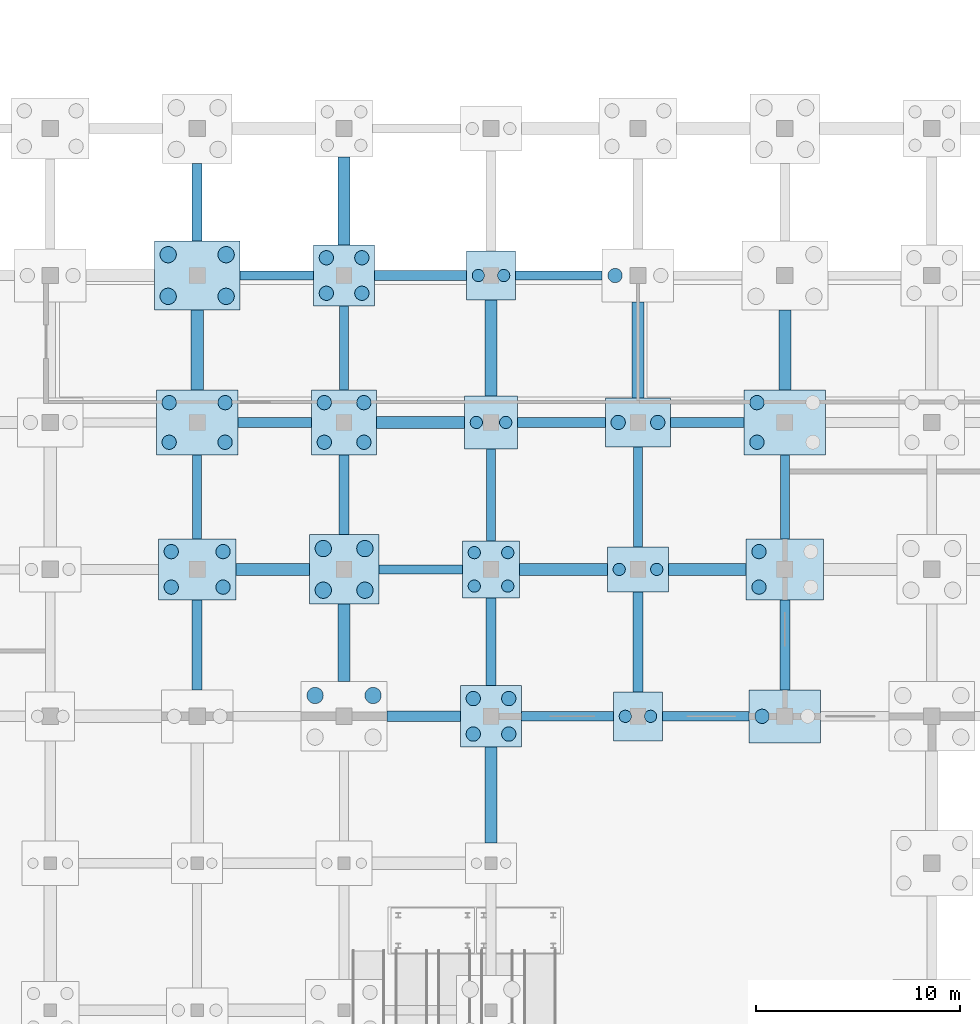
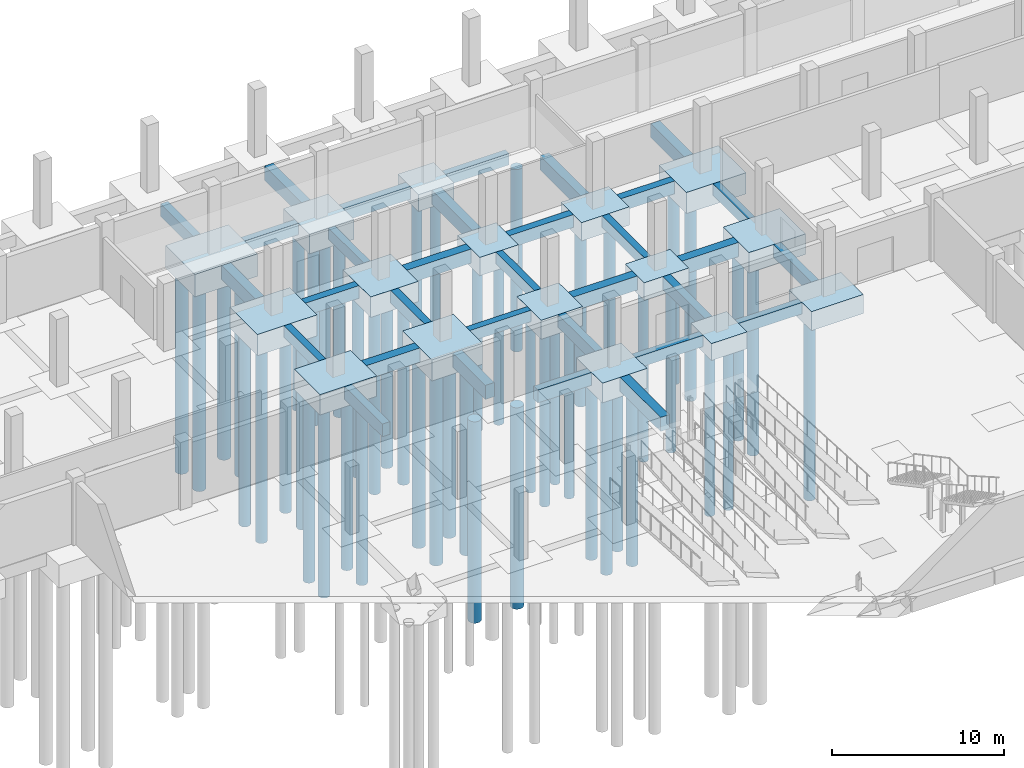
# One storey, part 5 of 38: 50 piles, 48 footings.
"""IFC4 building model written with IfcOpenShell, lengths in metres."""

from ifc_helpers import new_model, si_unit, direction, frame, origin, origin_2d, place, context, subcontext, project, spatial, rectangle, circle, extrude, material, material_profile, profile_set, type_object, element, save


model = new_model("IFC4")

# Units and contexts
model_context = context("Model", 3, precision=1e-05, world=origin(), true_north=direction((0.0, 1.0)))
body_context = subcontext(model_context, "Body", "Model", "MODEL_VIEW")
ifc_project = project(units=[si_unit("LENGTHUNIT", "METRE"), si_unit("AREAUNIT", "SQUARE_METRE"), si_unit("VOLUMEUNIT", "CUBIC_METRE"), si_unit("PLANEANGLEUNIT", "RADIAN"), si_unit("MASSUNIT", "GRAM", prefix="KILO")], contexts=[model_context])

# Site, building, storey
site_placement = place(None, origin())
site = spatial("IfcSite", under=ifc_project, at=site_placement, CompositionType="ELEMENT")
building_placement = place(site_placement, origin())
building = spatial("IfcBuilding", under=site, at=building_placement, Name="Valkovuoma Quantum and Materials Research Institute", CompositionType="ELEMENT")
storey_placement = place(building_placement, frame((0.0, 0.0, -4.800048828125)))
storey = spatial("IfcBuildingStorey", under=building, at=storey_placement, Name="B1", CompositionType="ELEMENT", Elevation=-4.800048828125)

# Footings
ifc_material_1 = material(Name="Concrete C35/45", Category="concrete")
footing_type_1 = type_object("IfcFootingType", Name="Cap-PC-03", PredefinedType="PILE_CAP", material=ifc_material_1)
for number, where, z_axis, x_axis, name in (
    (1, (79.199951171875, 57.60009765625, -1.19970703125), (0.0, 0.0, 1.0), (1.0, 0.0, 0.0), "B1 pile cap 12J"),
    (2, (86.39990234375, 36.0, -1.19970703125), (0.0, 0.0, 1.0), (1.0, 0.0, 0.0), "B1 pile cap 13F"),
):
    element("IfcFooting", number, at=place(storey_placement, frame(where, z_axis=z_axis, x_axis=x_axis)), inside=storey, type_object=footing_type_1, Name=name, PredefinedType="PILE_CAP", context=body_context, shape_type="SweptSolid", body=[
        extrude(rectangle(XDim=2.39990234375, YDim=2.39990234375, at=origin_2d()), origin(), (0.0, 0.0, 1.0), 1.199951171875),
    ])
ifc_material_2 = material(Name="Concrete C35/45", Category="concrete")
footing_type_2 = type_object("IfcFootingType", Name="Cap-PC-04", PredefinedType="PILE_CAP", material=ifc_material_2)
footing_1_placement = place(storey_placement, frame((79.199951171875, 50.39990234375, -1.2998046875), z_axis=(0.0, 0.0, 1.0), x_axis=(1.0, 0.0, 0.0)))
element("IfcFooting", 3, at=footing_1_placement, inside=storey, type_object=footing_type_2, Name="B1 pile cap 12H", PredefinedType="PILE_CAP", context=body_context, shape_type="SweptSolid", body=[
    extrude(rectangle(XDim=2.60009765625, YDim=2.60009765625, at=origin_2d()), origin(), (0.0, 0.0, 1.0), 1.300048828125),
])
ifc_material_3 = material(Name="Concrete C35/45", Category="concrete")
footing_type_3 = type_object("IfcFootingType", Name="Cap-PC-05", PredefinedType="PILE_CAP", material=ifc_material_3)
footing_2_placement = place(storey_placement, frame((79.199951171875, 43.199951171875, -1.35009765625), z_axis=(0.0, 0.0, 1.0), x_axis=(1.0, 0.0, 0.0)))
element("IfcFooting", 4, at=footing_2_placement, inside=storey, type_object=footing_type_3, Name="B1 pile cap 12G", PredefinedType="PILE_CAP", context=body_context, shape_type="SweptSolid", body=[
    extrude(rectangle(XDim=2.800048828125, YDim=2.800048828125, at=origin_2d()), origin(), (0.0, 0.0, 1.0), 1.35009765625),
])
ifc_material_4 = material(Name="Concrete C35/45", Category="concrete")
footing_type_4 = type_object("IfcFootingType", Name="Cap-PC-06", PredefinedType="PILE_CAP", material=ifc_material_4)
for number, where, z_axis, x_axis, name in (
    (5, (72.0, 57.60009765625, -1.39990234375), (0.0, 0.0, 1.0), (1.0, 0.0, 0.0), "B1 pile cap 11J"),
    (6, (79.199951171875, 36.0, -1.39990234375), (0.0, 0.0, 1.0), (1.0, 0.0, 0.0), "B1 pile cap 12F"),
):
    element("IfcFooting", number, at=place(storey_placement, frame(where, z_axis=z_axis, x_axis=x_axis)), inside=storey, type_object=footing_type_4, Name=name, PredefinedType="PILE_CAP", context=body_context, shape_type="SweptSolid", body=[
        extrude(rectangle(XDim=3.0, YDim=3.0, at=origin_2d()), origin(), (0.0, 0.0, 1.0), 1.39990234375),
    ])
ifc_material_5 = material(Name="Concrete C35/45", Category="concrete")
footing_type_5 = type_object("IfcFootingType", Name="Cap-PC-07", PredefinedType="PILE_CAP", material=ifc_material_5)
footing_3_placement = place(storey_placement, frame((72.0, 50.39990234375, -1.44970703125), z_axis=(0.0, 0.0, 1.0), x_axis=(1.0, 0.0, 0.0)))
element("IfcFooting", 7, at=footing_3_placement, inside=storey, type_object=footing_type_5, Name="B1 pile cap 11H", PredefinedType="PILE_CAP", context=body_context, shape_type="SweptSolid", body=[
    extrude(rectangle(XDim=3.199951171875, YDim=3.199951171875, at=origin_2d()), origin(), (0.0, 0.0, 1.0), 1.449951171875),
])
ifc_material_6 = material(Name="Concrete C35/45", Category="concrete")
footing_type_6 = type_object("IfcFootingType", Name="Cap-PC-08", PredefinedType="PILE_CAP", material=ifc_material_6)
footing_4_placement = place(storey_placement, frame((72.0, 43.199951171875, -1.5), z_axis=(0.0, 0.0, 1.0), x_axis=(1.0, 0.0, 0.0)))
element("IfcFooting", 8, at=footing_4_placement, inside=storey, type_object=footing_type_6, Name="B1 pile cap 11G", PredefinedType="PILE_CAP", context=body_context, shape_type="SweptSolid", body=[
    extrude(rectangle(XDim=3.39990234375, YDim=3.39990234375, at=origin_2d()), origin(), (0.0, 0.0, 1.0), 1.5),
])
ifc_material_7 = material(Name="Concrete C35/45", Category="concrete")
footing_type_7 = type_object("IfcFootingType", Name="Cap-PC-11", PredefinedType="PILE_CAP", material=ifc_material_7)
footing_5_placement = place(storey_placement, frame((86.39990234375, 43.199951171875, -1.25), z_axis=(0.0, 0.0, 1.0), x_axis=(1.0, 0.0, 0.0)))
element("IfcFooting", 9, at=footing_5_placement, inside=storey, type_object=footing_type_7, Name="B1 pile cap 13G", PredefinedType="PILE_CAP", context=body_context, shape_type="SweptSolid", body=[
    extrude(rectangle(XDim=3.0, YDim=2.199951171875, at=origin_2d()), origin(), (0.0, 0.0, 1.0), 1.25),
])
ifc_material_8 = material(Name="Concrete C35/45", Category="concrete")
footing_type_8 = type_object("IfcFootingType", Name="Cap-PC-12", PredefinedType="PILE_CAP", material=ifc_material_8)
footing_6_placement = place(storey_placement, frame((86.39990234375, 50.39990234375, -1.2998046875), z_axis=(0.0, 0.0, 1.0), x_axis=(1.0, 0.0, 0.0)))
element("IfcFooting", 10, at=footing_6_placement, inside=storey, type_object=footing_type_8, Name="B1 pile cap 13H", PredefinedType="PILE_CAP", context=body_context, shape_type="SweptSolid", body=[
    extrude(rectangle(XDim=3.199951171875, YDim=2.39990234375, at=origin_2d()), origin(), (0.0, 0.0, 1.0), 1.300048828125),
])
ifc_material_9 = material(Name="Concrete C35/45", Category="concrete")
footing_type_9 = type_object("IfcFootingType", Name="Cap-PC-13", PredefinedType="PILE_CAP", material=ifc_material_9)
footing_7_placement = place(storey_placement, frame((93.60009765625, 36.0, -1.35009765625), z_axis=(0.0, 0.0, 1.0), x_axis=(1.0, 0.0, 0.0)))
element("IfcFooting", 11, at=footing_7_placement, inside=storey, type_object=footing_type_9, Name="B1 pile cap 14F", PredefinedType="PILE_CAP", context=body_context, shape_type="SweptSolid", body=[
    extrude(rectangle(XDim=3.5, YDim=2.60009765625, at=origin_2d()), origin(), (0.0, 0.0, 1.0), 1.35009765625),
])
ifc_material_10 = material(Name="Concrete C35/45", Category="concrete")
footing_type_10 = type_object("IfcFootingType", Name="Cap-PC-14", PredefinedType="PILE_CAP", material=ifc_material_10)
for number, where, z_axis, x_axis, name in (
    (12, (64.800048828125, 43.199951171875, -1.44970703125), (0.0, 0.0, 1.0), (1.0, 0.0, 0.0), "B1 pile cap 10G"),
    (13, (93.60009765625, 43.199951171875, -1.44970703125), (0.0, 0.0, 1.0), (1.0, 0.0, 0.0), "B1 pile cap 14G"),
):
    element("IfcFooting", number, at=place(storey_placement, frame(where, z_axis=z_axis, x_axis=x_axis)), inside=storey, type_object=footing_type_10, Name=name, PredefinedType="PILE_CAP", context=body_context, shape_type="SweptSolid", body=[
        extrude(rectangle(XDim=3.800048828125, YDim=3.0, at=origin_2d()), origin(), (0.0, 0.0, 1.0), 1.449951171875),
    ])
ifc_material_11 = material(Name="Concrete C35/45", Category="concrete")
footing_type_11 = type_object("IfcFootingType", Name="Cap-PC-15", PredefinedType="PILE_CAP", material=ifc_material_11)
for number, where, z_axis, x_axis, name in (
    (14, (64.800048828125, 50.39990234375, -1.5), (0.0, 0.0, 1.0), (1.0, 0.0, 0.0), "B1 pile cap 10H"),
    (15, (93.60009765625, 50.39990234375, -1.5), (0.0, 0.0, 1.0), (1.0, 0.0, 0.0), "B1 pile cap 14H"),
):
    element("IfcFooting", number, at=place(storey_placement, frame(where, z_axis=z_axis, x_axis=x_axis)), inside=storey, type_object=footing_type_11, Name=name, PredefinedType="PILE_CAP", context=body_context, shape_type="SweptSolid", body=[
        extrude(rectangle(XDim=4.0, YDim=3.199951171875, at=origin_2d()), origin(), (0.0, 0.0, 1.0), 1.5),
    ])
ifc_material_12 = material(Name="Concrete C35/45", Category="concrete")
footing_type_12 = type_object("IfcFootingType", Name="Cap-PC-16", PredefinedType="PILE_CAP", material=ifc_material_12)
footing_8_placement = place(storey_placement, frame((64.800048828125, 57.60009765625, -1.60009765625), z_axis=(0.0, 0.0, 1.0), x_axis=(1.0, 0.0, 0.0)))
element("IfcFooting", 16, at=footing_8_placement, inside=storey, type_object=footing_type_12, Name="B1 pile cap 10J", PredefinedType="PILE_CAP", context=body_context, shape_type="SweptSolid", body=[
    extrude(rectangle(XDim=4.199951171875, YDim=3.39990234375, at=origin_2d()), origin(), (0.0, 0.0, 1.0), 1.60009765625),
])
ifc_material_13 = material(Name="Concrete C35/45", Category="concrete")
footing_type_13 = type_object("IfcFootingType", Name="GndBeam-FB-01", PredefinedType="FOOTING_BEAM", material=ifc_material_13)
footing_9_placement = place(storey_placement, frame((64.800048828125, 46.75, -0.7998046875), z_axis=(0.0, 0.0, 1.0), x_axis=(0.0, 1.0, 0.0)))
element("IfcFooting", 17, at=footing_9_placement, inside=storey, type_object=footing_type_13, Name="B1 ground tie beam Y-180", PredefinedType="FOOTING_BEAM", context=body_context, shape_type="SweptSolid", body=[
    extrude(rectangle(XDim=4.10009765625, YDim=0.449951171875, at=origin_2d()), origin(), (0.0, 0.0, 1.0), 0.800048828125),
])
footing_10_placement = place(storey_placement, frame((68.699951171875, 57.60009765625, -0.7998046875), z_axis=(0.0, 0.0, 1.0), x_axis=(1.0, 0.0, 0.0)))
element("IfcFooting", 18, at=footing_10_placement, inside=storey, type_object=footing_type_13, Name="B1 ground tie beam X-183", PredefinedType="FOOTING_BEAM", context=body_context, shape_type="SweptSolid", body=[
    extrude(rectangle(XDim=3.60009765625, YDim=0.449951171875, at=origin_2d()), origin(), (0.0, 0.0, 1.0), 0.800048828125),
])
for number, where, z_axis, x_axis, name in (
    (19, (75.75, 43.199951171875, -0.7998046875), (0.0, 0.0, 1.0), (1.0, 0.0, 0.0), "B1 ground tie beam X-192"),
    (20, (72.0, 54.050048828125, -0.7998046875), (0.0, 0.0, 1.0), (0.0, 1.0, 0.0), "B1 ground tie beam Y-195"),
):
    element("IfcFooting", number, at=place(storey_placement, frame(where, z_axis=z_axis, x_axis=x_axis)), inside=storey, type_object=footing_type_13, Name=name, PredefinedType="FOOTING_BEAM", context=body_context, shape_type="SweptSolid", body=[
        extrude(rectangle(XDim=4.10009765625, YDim=0.449951171875, at=origin_2d()), origin(), (0.0, 0.0, 1.0), 0.800048828125),
    ])
for number, where, z_axis, x_axis, name in (
    (21, (82.949951171875, 36.0, -0.7998046875), (0.0, 0.0, 1.0), (1.0, 0.0, 0.0), "B1 ground tie beam X-201"),
    (22, (79.199951171875, 46.85009765625, -0.7998046875), (0.0, 0.0, 1.0), (0.0, 1.0, 0.0), "B1 ground tie beam Y-204"),
):
    element("IfcFooting", number, at=place(storey_placement, frame(where, z_axis=z_axis, x_axis=x_axis)), inside=storey, type_object=footing_type_13, Name=name, PredefinedType="FOOTING_BEAM", context=body_context, shape_type="SweptSolid", body=[
        extrude(rectangle(XDim=4.5, YDim=0.449951171875, at=origin_2d()), origin(), (0.0, 0.0, 1.0), 0.800048828125),
    ])
for number, where, z_axis, x_axis, name in (
    (23, (82.52490234375, 57.60009765625, -0.7998046875), (0.0, 0.0, 1.0), (1.0, 0.0, 0.0), "B1 ground tie beam X-207"),
    (24, (89.72509765625, 36.0, -0.7998046875), (0.0, 0.0, 1.0), (1.0, 0.0, 0.0), "B1 ground tie beam X-210"),
):
    element("IfcFooting", number, at=place(storey_placement, frame(where, z_axis=z_axis, x_axis=x_axis)), inside=storey, type_object=footing_type_13, Name=name, PredefinedType="FOOTING_BEAM", context=body_context, shape_type="SweptSolid", body=[
        extrude(rectangle(XDim=4.25, YDim=0.449951171875, at=origin_2d()), origin(), (0.0, 0.0, 1.0), 0.800048828125),
    ])
footing_11_placement = place(storey_placement, frame((86.39990234375, 46.75, -0.7998046875), z_axis=(0.0, 0.0, 1.0), x_axis=(0.0, 1.0, 0.0)))
element("IfcFooting", 25, at=footing_11_placement, inside=storey, type_object=footing_type_13, Name="B1 ground tie beam Y-213", PredefinedType="FOOTING_BEAM", context=body_context, shape_type="SweptSolid", body=[
    extrude(rectangle(XDim=4.89990234375, YDim=0.449951171875, at=origin_2d()), origin(), (0.0, 0.0, 1.0), 0.800048828125),
])
footing_12_placement = place(storey_placement, frame((93.60009765625, 46.75, -0.7998046875), z_axis=(0.0, 0.0, 1.0), x_axis=(0.0, 1.0, 0.0)))
element("IfcFooting", 26, at=footing_12_placement, inside=storey, type_object=footing_type_13, Name="B1 ground tie beam Y-222", PredefinedType="FOOTING_BEAM", context=body_context, shape_type="SweptSolid", body=[
    extrude(rectangle(XDim=4.10009765625, YDim=0.449951171875, at=origin_2d()), origin(), (0.0, 0.0, 1.0), 0.800048828125),
])
ifc_material_14 = material(Name="Concrete C35/45", Category="concrete")
footing_type_14 = type_object("IfcFootingType", Name="GndBeam-FB-02", PredefinedType="FOOTING_BEAM", material=ifc_material_14)
footing_13_placement = place(storey_placement, frame((64.800048828125, 39.5, -0.89990234375), z_axis=(0.0, 0.0, 1.0), x_axis=(0.0, 1.0, 0.0)))
element("IfcFooting", 27, at=footing_13_placement, inside=storey, type_object=footing_type_14, Name="B1 ground tie beam Y-178", PredefinedType="FOOTING_BEAM", context=body_context, shape_type="SweptSolid", body=[
    extrude(rectangle(XDim=4.39990234375, YDim=0.5, at=origin_2d()), origin(), (0.0, 0.0, 1.0), 0.89990234375),
])
footing_14_placement = place(storey_placement, frame((68.60009765625, 50.39990234375, -0.89990234375), z_axis=(0.0, 0.0, 1.0), x_axis=(1.0, 0.0, 0.0)))
element("IfcFooting", 28, at=footing_14_placement, inside=storey, type_object=footing_type_14, Name="B1 ground tie beam X-181", PredefinedType="FOOTING_BEAM", context=body_context, shape_type="SweptSolid", body=[
    extrude(rectangle(XDim=3.60009765625, YDim=0.5, at=origin_2d()), origin(), (0.0, 0.0, 1.0), 0.89990234375),
])
footing_15_placement = place(storey_placement, frame((64.800048828125, 61.199951171875, -0.89990234375), z_axis=(0.0, 0.0, 1.0), x_axis=(0.0, 1.0, 0.0)))
element("IfcFooting", 29, at=footing_15_placement, inside=storey, type_object=footing_type_14, Name="B1 ground tie beam Y-184", PredefinedType="FOOTING_BEAM", context=body_context, shape_type="SweptSolid", body=[
    extrude(rectangle(XDim=3.800048828125, YDim=0.5, at=origin_2d()), origin(), (0.0, 0.0, 1.0), 0.89990234375),
])
footing_16_placement = place(storey_placement, frame((75.89990234375, 36.0, -0.89990234375), z_axis=(0.0, 0.0, 1.0), x_axis=(1.0, 0.0, 0.0)))
element("IfcFooting", 30, at=footing_16_placement, inside=storey, type_object=footing_type_14, Name="B1 ground tie beam X-190", PredefinedType="FOOTING_BEAM", context=body_context, shape_type="SweptSolid", body=[
    extrude(rectangle(XDim=3.60009765625, YDim=0.5, at=origin_2d()), origin(), (0.0, 0.0, 1.0), 0.89990234375),
])
footing_17_placement = place(storey_placement, frame((72.0, 46.85009765625, -0.89990234375), z_axis=(0.0, 0.0, 1.0), x_axis=(0.0, 1.0, 0.0)))
element("IfcFooting", 31, at=footing_17_placement, inside=storey, type_object=footing_type_14, Name="B1 ground tie beam Y-193", PredefinedType="FOOTING_BEAM", context=body_context, shape_type="SweptSolid", body=[
    extrude(rectangle(XDim=3.89990234375, YDim=0.5, at=origin_2d()), origin(), (0.0, 0.0, 1.0), 0.89990234375),
])
footing_18_placement = place(storey_placement, frame((75.75, 57.60009765625, -0.89990234375), z_axis=(0.0, 0.0, 1.0), x_axis=(1.0, 0.0, 0.0)))
element("IfcFooting", 32, at=footing_18_placement, inside=storey, type_object=footing_type_14, Name="B1 ground tie beam X-196", PredefinedType="FOOTING_BEAM", context=body_context, shape_type="SweptSolid", body=[
    extrude(rectangle(XDim=4.5, YDim=0.5, at=origin_2d()), origin(), (0.0, 0.0, 1.0), 0.89990234375),
])
for number, where, z_axis, x_axis, name in (
    (33, (79.199951171875, 39.64990234375, -0.89990234375), (0.0, 0.0, 1.0), (0.0, 1.0, 0.0), "B1 ground tie beam Y-202"),
    (34, (82.64990234375, 50.39990234375, -0.89990234375), (0.0, 0.0, 1.0), (1.0, 0.0, 0.0), "B1 ground tie beam X-205"),
):
    element("IfcFooting", number, at=place(storey_placement, frame(where, z_axis=z_axis, x_axis=x_axis)), inside=storey, type_object=footing_type_14, Name=name, PredefinedType="FOOTING_BEAM", context=body_context, shape_type="SweptSolid", body=[
        extrude(rectangle(XDim=4.300048828125, YDim=0.5, at=origin_2d()), origin(), (0.0, 0.0, 1.0), 0.89990234375),
    ])
footing_19_placement = place(storey_placement, frame((86.39990234375, 39.64990234375, -0.89990234375), z_axis=(0.0, 0.0, 1.0), x_axis=(0.0, 1.0, 0.0)))
element("IfcFooting", 35, at=footing_19_placement, inside=storey, type_object=footing_type_14, Name="B1 ground tie beam Y-211", PredefinedType="FOOTING_BEAM", context=body_context, shape_type="SweptSolid", body=[
    extrude(rectangle(XDim=4.89990234375, YDim=0.5, at=origin_2d()), origin(), (0.0, 0.0, 1.0), 0.89990234375),
])
footing_20_placement = place(storey_placement, frame((89.800048828125, 50.39990234375, -0.89990234375), z_axis=(0.0, 0.0, 1.0), x_axis=(1.0, 0.0, 0.0)))
element("IfcFooting", 36, at=footing_20_placement, inside=storey, type_object=footing_type_14, Name="B1 ground tie beam X-214", PredefinedType="FOOTING_BEAM", context=body_context, shape_type="SweptSolid", body=[
    extrude(rectangle(XDim=3.60009765625, YDim=0.5, at=origin_2d()), origin(), (0.0, 0.0, 1.0), 0.89990234375),
])
footing_21_placement = place(storey_placement, frame((93.60009765625, 39.5, -0.89990234375), z_axis=(0.0, 0.0, 1.0), x_axis=(0.0, 1.0, 0.0)))
element("IfcFooting", 37, at=footing_21_placement, inside=storey, type_object=footing_type_14, Name="B1 ground tie beam Y-220", PredefinedType="FOOTING_BEAM", context=body_context, shape_type="SweptSolid", body=[
    extrude(rectangle(XDim=4.39990234375, YDim=0.5, at=origin_2d()), origin(), (0.0, 0.0, 1.0), 0.89990234375),
])
ifc_material_15 = material(Name="Concrete C35/45", Category="concrete")
footing_type_15 = type_object("IfcFootingType", Name="GndBeam-FB-03", PredefinedType="FOOTING_BEAM", material=ifc_material_15)
footing_22_placement = place(storey_placement, frame((68.5, 43.199951171875, -1.0), z_axis=(0.0, 0.0, 1.0), x_axis=(1.0, 0.0, 0.0)))
element("IfcFooting", 38, at=footing_22_placement, inside=storey, type_object=footing_type_15, Name="B1 ground tie beam X-179", PredefinedType="FOOTING_BEAM", context=body_context, shape_type="SweptSolid", body=[
    extrude(rectangle(XDim=3.60009765625, YDim=0.60009765625, at=origin_2d()), origin(), (0.0, 0.0, 1.0), 1.0),
])
footing_23_placement = place(storey_placement, frame((64.800048828125, 53.949951171875, -1.0), z_axis=(0.0, 0.0, 1.0), x_axis=(0.0, 1.0, 0.0)))
element("IfcFooting", 39, at=footing_23_placement, inside=storey, type_object=footing_type_15, Name="B1 ground tie beam Y-182", PredefinedType="FOOTING_BEAM", context=body_context, shape_type="SweptSolid", body=[
    extrude(rectangle(XDim=3.89990234375, YDim=0.60009765625, at=origin_2d()), origin(), (0.0, 0.0, 1.0), 1.0),
])
footing_24_placement = place(storey_placement, frame((72.0, 39.60009765625, -1.0), z_axis=(0.0, 0.0, 1.0), x_axis=(0.0, 1.0, 0.0)))
element("IfcFooting", 40, at=footing_24_placement, inside=storey, type_object=footing_type_15, Name="B1 ground tie beam Y-191", PredefinedType="FOOTING_BEAM", context=body_context, shape_type="SweptSolid", body=[
    extrude(rectangle(XDim=3.800048828125, YDim=0.60009765625, at=origin_2d()), origin(), (0.0, 0.0, 1.0), 1.0),
])
for number, where, z_axis, x_axis, name in (
    (41, (75.75, 50.39990234375, -1.0), (0.0, 0.0, 1.0), (1.0, 0.0, 0.0), "B1 ground tie beam X-194"),
    (42, (72.0, 61.25, -1.0), (0.0, 0.0, 1.0), (0.0, 1.0, 0.0), "B1 ground tie beam Y-197"),
):
    element("IfcFooting", number, at=place(storey_placement, frame(where, z_axis=z_axis, x_axis=x_axis)), inside=storey, type_object=footing_type_15, Name=name, PredefinedType="FOOTING_BEAM", context=body_context, shape_type="SweptSolid", body=[
        extrude(rectangle(XDim=4.300048828125, YDim=0.60009765625, at=origin_2d()), origin(), (0.0, 0.0, 1.0), 1.0),
    ])
footing_25_placement = place(storey_placement, frame((79.199951171875, 32.14990234375, -1.0), z_axis=(0.0, 0.0, 1.0), x_axis=(0.0, 1.0, 0.0)))
element("IfcFooting", 43, at=footing_25_placement, inside=storey, type_object=footing_type_15, Name="B1 ground tie beam Y-200", PredefinedType="FOOTING_BEAM", context=body_context, shape_type="SweptSolid", body=[
    extrude(rectangle(XDim=4.699951171875, YDim=0.60009765625, at=origin_2d()), origin(), (0.0, 0.0, 1.0), 1.0),
])
footing_26_placement = place(storey_placement, frame((82.75, 43.199951171875, -1.0), z_axis=(0.0, 0.0, 1.0), x_axis=(1.0, 0.0, 0.0)))
element("IfcFooting", 44, at=footing_26_placement, inside=storey, type_object=footing_type_15, Name="B1 ground tie beam X-203", PredefinedType="FOOTING_BEAM", context=body_context, shape_type="SweptSolid", body=[
    extrude(rectangle(XDim=4.300048828125, YDim=0.60009765625, at=origin_2d()), origin(), (0.0, 0.0, 1.0), 1.0),
])
footing_27_placement = place(storey_placement, frame((79.199951171875, 54.050048828125, -1.0), z_axis=(0.0, 0.0, 1.0), x_axis=(0.0, 1.0, 0.0)))
element("IfcFooting", 45, at=footing_27_placement, inside=storey, type_object=footing_type_15, Name="B1 ground tie beam Y-206", PredefinedType="FOOTING_BEAM", context=body_context, shape_type="SweptSolid", body=[
    extrude(rectangle(XDim=4.699951171875, YDim=0.60009765625, at=origin_2d()), origin(), (0.0, 0.0, 1.0), 1.0),
])
footing_28_placement = place(storey_placement, frame((89.800048828125, 43.199951171875, -1.0), z_axis=(0.0, 0.0, 1.0), x_axis=(1.0, 0.0, 0.0)))
element("IfcFooting", 46, at=footing_28_placement, inside=storey, type_object=footing_type_15, Name="B1 ground tie beam X-212", PredefinedType="FOOTING_BEAM", context=body_context, shape_type="SweptSolid", body=[
    extrude(rectangle(XDim=3.800048828125, YDim=0.60009765625, at=origin_2d()), origin(), (0.0, 0.0, 1.0), 1.0),
])
footing_29_placement = place(storey_placement, frame((86.39990234375, 53.949951171875, -1.0), z_axis=(0.0, 0.0, 1.0), x_axis=(0.0, 1.0, 0.0)))
element("IfcFooting", 47, at=footing_29_placement, inside=storey, type_object=footing_type_15, Name="B1 ground tie beam Y-215", PredefinedType="FOOTING_BEAM", context=body_context, shape_type="SweptSolid", body=[
    extrude(rectangle(XDim=4.699951171875, YDim=0.60009765625, at=origin_2d()), origin(), (0.0, 0.0, 1.0), 1.0),
])
footing_30_placement = place(storey_placement, frame((93.60009765625, 53.949951171875, -1.0), z_axis=(0.0, 0.0, 1.0), x_axis=(0.0, 1.0, 0.0)))
element("IfcFooting", 48, at=footing_30_placement, inside=storey, type_object=footing_type_15, Name="B1 ground tie beam Y-224", PredefinedType="FOOTING_BEAM", context=body_context, shape_type="SweptSolid", body=[
    extrude(rectangle(XDim=3.89990234375, YDim=0.60009765625, at=origin_2d()), origin(), (0.0, 0.0, 1.0), 1.0),
])

# Piles
ifc_material_16 = material(Name="Concrete C40/50", Category="concrete")
ifc_material_profile_1 = material_profile(ifc_material_16, circle(Radius=0.300048828125, at=origin_2d()), Name="Concrete C40/50")
ifc_profile_set_1 = profile_set([ifc_material_profile_1], Name="Concrete C40/50")
pile_type_1 = type_object("IfcPileType", Name="Pile-PL-B600", PredefinedType="BORED", material=ifc_profile_set_1)
for number, where, z_axis, x_axis, name in (
    (49, (78.3798828125, 42.3798828125, -1.25), (0.0, 0.0, -1.0), (1.0, 0.0, 0.0), "B1 pile 12G-1"),
    (50, (80.02001953125, 42.3798828125, -1.25), (0.0, 0.0, -1.0), (1.0, 0.0, 0.0), "B1 pile 12G-2"),
    (51, (78.3798828125, 44.02001953125, -1.25), (0.0, 0.0, -1.0), (1.0, 0.0, 0.0), "B1 pile 12G-3"),
    (52, (80.02001953125, 44.02001953125, -1.25), (0.0, 0.0, -1.0), (1.0, 0.0, 0.0), "B1 pile 12G-4"),
):
    element("IfcPile", number, at=place(storey_placement, frame(where, z_axis=z_axis, x_axis=x_axis)), inside=storey, type_object=pile_type_1, Name=name, PredefinedType="BORED", context=body_context, shape_type="SweptSolid", body=[
        extrude(circle(Radius=0.300048828125, at=origin_2d()), origin(), (0.0, 0.0, 1.0), 12.35009765625),
    ])
for number, where, z_axis, x_axis, name in (
    (53, (78.47998046875, 50.39990234375, -1.199951171875), (0.0, 0.0, -1.0), (1.0, 0.0, 0.0), "B1 pile 12H-1"),
    (54, (79.919921875, 50.39990234375, -1.199951171875), (0.0, 0.0, -1.0), (1.0, 0.0, 0.0), "B1 pile 12H-2"),
):
    element("IfcPile", number, at=place(storey_placement, frame(where, z_axis=z_axis, x_axis=x_axis)), inside=storey, type_object=pile_type_1, Name=name, PredefinedType="BORED", context=body_context, shape_type="SweptSolid", body=[
        extrude(circle(Radius=0.300048828125, at=origin_2d()), origin(), (0.0, 0.0, 1.0), 12.0),
    ])
for number, where, z_axis, x_axis, name in (
    (55, (78.580078125, 57.60009765625, -1.099853515625), (0.0, 0.0, -1.0), (1.0, 0.0, 0.0), "B1 pile 12J-1"),
    (56, (79.820068359375, 57.60009765625, -1.099853515625), (0.0, 0.0, -1.0), (1.0, 0.0, 0.0), "B1 pile 12J-2"),
    (57, (85.780029296875, 36.0, -1.099853515625), (0.0, 0.0, -1.0), (1.0, 0.0, 0.0), "B1 pile 13F-1"),
    (58, (87.02001953125, 36.0, -1.099853515625), (0.0, 0.0, -1.0), (1.0, 0.0, 0.0), "B1 pile 13F-2"),
):
    element("IfcPile", number, at=place(storey_placement, frame(where, z_axis=z_axis, x_axis=x_axis)), inside=storey, type_object=pile_type_1, Name=name, PredefinedType="BORED", context=body_context, shape_type="SweptSolid", body=[
        extrude(circle(Radius=0.300048828125, at=origin_2d()), origin(), (0.0, 0.0, 1.0), 11.89990234375),
    ])
for number, where, z_axis, x_axis, name in (
    (59, (85.47998046875, 43.199951171875, -1.14990234375), (0.0, 0.0, -1.0), (1.0, 0.0, 0.0), "B1 pile 13G-1"),
    (60, (87.320068359375, 43.199951171875, -1.14990234375), (0.0, 0.0, -1.0), (1.0, 0.0, 0.0), "B1 pile 13G-2"),
):
    element("IfcPile", number, at=place(storey_placement, frame(where, z_axis=z_axis, x_axis=x_axis)), inside=storey, type_object=pile_type_1, Name=name, PredefinedType="BORED", context=body_context, shape_type="SweptSolid", body=[
        extrude(circle(Radius=0.300048828125, at=origin_2d()), origin(), (0.0, 0.0, 1.0), 12.25),
    ])
ifc_material_17 = material(Name="Concrete C40/50", Category="concrete")
ifc_material_profile_2 = material_profile(ifc_material_17, circle(Radius=0.35009765625, at=origin_2d()), Name="Concrete C40/50")
ifc_profile_set_2 = profile_set([ifc_material_profile_2], Name="Concrete C40/50")
pile_type_2 = type_object("IfcPileType", Name="Pile-PL-B700", PredefinedType="BORED", material=ifc_profile_set_2)
for number, where, z_axis, x_axis, name in (
    (61, (63.530029296875, 42.330078125, -1.349853515625), (0.0, 0.0, -1.0), (1.0, 0.0, 0.0), "B1 pile 10G-1"),
    (62, (66.070068359375, 42.330078125, -1.349853515625), (0.0, 0.0, -1.0), (1.0, 0.0, 0.0), "B1 pile 10G-2"),
    (63, (63.530029296875, 44.070068359375, -1.349853515625), (0.0, 0.0, -1.0), (1.0, 0.0, 0.0), "B1 pile 10G-3"),
    (64, (66.070068359375, 44.070068359375, -1.349853515625), (0.0, 0.0, -1.0), (1.0, 0.0, 0.0), "B1 pile 10G-4"),
):
    element("IfcPile", number, at=place(storey_placement, frame(where, z_axis=z_axis, x_axis=x_axis)), inside=storey, type_object=pile_type_2, Name=name, PredefinedType="BORED", context=body_context, shape_type="SweptSolid", body=[
        extrude(circle(Radius=0.35009765625, at=origin_2d()), origin(), (0.0, 0.0, 1.0), 13.449951171875),
    ])
for number, where, z_axis, x_axis, name in (
    (65, (63.429931640625, 49.429931640625, -1.39990234375), (0.0, 0.0, -1.0), (1.0, 0.0, 0.0), "B1 pile 10H-1"),
    (66, (66.169921875, 49.429931640625, -1.39990234375), (0.0, 0.0, -1.0), (1.0, 0.0, 0.0), "B1 pile 10H-2"),
    (67, (63.429931640625, 51.3701171875, -1.39990234375), (0.0, 0.0, -1.0), (1.0, 0.0, 0.0), "B1 pile 10H-3"),
    (68, (66.169921875, 51.3701171875, -1.39990234375), (0.0, 0.0, -1.0), (1.0, 0.0, 0.0), "B1 pile 10H-4"),
):
    element("IfcPile", number, at=place(storey_placement, frame(where, z_axis=z_axis, x_axis=x_axis)), inside=storey, type_object=pile_type_2, Name=name, PredefinedType="BORED", context=body_context, shape_type="SweptSolid", body=[
        extrude(circle(Radius=0.35009765625, at=origin_2d()), origin(), (0.0, 0.0, 1.0), 13.800048828125),
    ])
for number, where, z_axis, x_axis, name in (
    (69, (71.030029296875, 49.429931640625, -1.349853515625), (0.0, 0.0, -1.0), (1.0, 0.0, 0.0), "B1 pile 11H-1"),
    (70, (72.969970703125, 49.429931640625, -1.349853515625), (0.0, 0.0, -1.0), (1.0, 0.0, 0.0), "B1 pile 11H-2"),
    (71, (71.030029296875, 51.3701171875, -1.349853515625), (0.0, 0.0, -1.0), (1.0, 0.0, 0.0), "B1 pile 11H-3"),
    (72, (72.969970703125, 51.3701171875, -1.349853515625), (0.0, 0.0, -1.0), (1.0, 0.0, 0.0), "B1 pile 11H-4"),
):
    element("IfcPile", number, at=place(storey_placement, frame(where, z_axis=z_axis, x_axis=x_axis)), inside=storey, type_object=pile_type_2, Name=name, PredefinedType="BORED", context=body_context, shape_type="SweptSolid", body=[
        extrude(circle(Radius=0.35009765625, at=origin_2d()), origin(), (0.0, 0.0, 1.0), 13.050048828125),
    ])
for number, where, z_axis, x_axis, name in (
    (73, (71.1298828125, 56.72998046875, -1.300048828125), (0.0, 0.0, -1.0), (1.0, 0.0, 0.0), "B1 pile 11J-1"),
    (74, (72.8701171875, 56.72998046875, -1.300048828125), (0.0, 0.0, -1.0), (1.0, 0.0, 0.0), "B1 pile 11J-2"),
    (75, (71.1298828125, 58.469970703125, -1.300048828125), (0.0, 0.0, -1.0), (1.0, 0.0, 0.0), "B1 pile 11J-3"),
    (76, (72.8701171875, 58.469970703125, -1.300048828125), (0.0, 0.0, -1.0), (1.0, 0.0, 0.0), "B1 pile 11J-4"),
    (77, (78.330078125, 35.1298828125, -1.300048828125), (0.0, 0.0, -1.0), (1.0, 0.0, 0.0), "B1 pile 12F-1"),
    (78, (80.070068359375, 35.1298828125, -1.300048828125), (0.0, 0.0, -1.0), (1.0, 0.0, 0.0), "B1 pile 12F-2"),
    (79, (78.330078125, 36.8701171875, -1.300048828125), (0.0, 0.0, -1.0), (1.0, 0.0, 0.0), "B1 pile 12F-3"),
    (80, (80.070068359375, 36.8701171875, -1.300048828125), (0.0, 0.0, -1.0), (1.0, 0.0, 0.0), "B1 pile 12F-4"),
):
    element("IfcPile", number, at=place(storey_placement, frame(where, z_axis=z_axis, x_axis=x_axis)), inside=storey, type_object=pile_type_2, Name=name, PredefinedType="BORED", context=body_context, shape_type="SweptSolid", body=[
        extrude(circle(Radius=0.35009765625, at=origin_2d()), origin(), (0.0, 0.0, 1.0), 12.699951171875),
    ])
for number, where, z_axis, x_axis, name in (
    (81, (85.429931640625, 50.39990234375, -1.199951171875), (0.0, 0.0, -1.0), (1.0, 0.0, 0.0), "B1 pile 13H-1"),
    (82, (87.3701171875, 50.39990234375, -1.199951171875), (0.0, 0.0, -1.0), (1.0, 0.0, 0.0), "B1 pile 13H-2"),
):
    element("IfcPile", number, at=place(storey_placement, frame(where, z_axis=z_axis, x_axis=x_axis)), inside=storey, type_object=pile_type_2, Name=name, PredefinedType="BORED", context=body_context, shape_type="SweptSolid", body=[
        extrude(circle(Radius=0.35009765625, at=origin_2d()), origin(), (0.0, 0.0, 1.0), 12.60009765625),
    ])
for number, where, z_axis, x_axis, name in (
    (83, (85.280029296875, 57.60009765625, -1.25), (0.0, 0.0, -1.0), (1.0, 0.0, 0.0), "B1 pile 13J-1"),
    (84, (92.47998046875, 36.0, -1.25), (0.0, 0.0, -1.0), (1.0, 0.0, 0.0), "B1 pile 14F-1"),
):
    element("IfcPile", number, at=place(storey_placement, frame(where, z_axis=z_axis, x_axis=x_axis)), inside=storey, type_object=pile_type_2, Name=name, PredefinedType="BORED", context=body_context, shape_type="SweptSolid", body=[
        extrude(circle(Radius=0.35009765625, at=origin_2d()), origin(), (0.0, 0.0, 1.0), 12.949951171875),
    ])
for number, where, z_axis, x_axis, name in (
    (85, (92.330078125, 42.330078125, -1.349853515625), (0.0, 0.0, -1.0), (1.0, 0.0, 0.0), "B1 pile 14G-1"),
    (86, (92.330078125, 44.070068359375, -1.349853515625), (0.0, 0.0, -1.0), (1.0, 0.0, 0.0), "B1 pile 14G-3"),
):
    element("IfcPile", number, at=place(storey_placement, frame(where, z_axis=z_axis, x_axis=x_axis)), inside=storey, type_object=pile_type_2, Name=name, PredefinedType="BORED", context=body_context, shape_type="SweptSolid", body=[
        extrude(circle(Radius=0.35009765625, at=origin_2d()), origin(), (0.0, 0.0, 1.0), 13.449951171875),
    ])
for number, where, z_axis, x_axis, name in (
    (87, (92.22998046875, 49.429931640625, -1.39990234375), (0.0, 0.0, -1.0), (1.0, 0.0, 0.0), "B1 pile 14H-1"),
    (88, (92.22998046875, 51.3701171875, -1.39990234375), (0.0, 0.0, -1.0), (1.0, 0.0, 0.0), "B1 pile 14H-3"),
):
    element("IfcPile", number, at=place(storey_placement, frame(where, z_axis=z_axis, x_axis=x_axis)), inside=storey, type_object=pile_type_2, Name=name, PredefinedType="BORED", context=body_context, shape_type="SweptSolid", body=[
        extrude(circle(Radius=0.35009765625, at=origin_2d()), origin(), (0.0, 0.0, 1.0), 13.800048828125),
    ])
ifc_material_18 = material(Name="Concrete C40/50", Category="concrete")
ifc_material_profile_3 = material_profile(ifc_material_18, circle(Radius=0.39990234375, at=origin_2d()), Name="Concrete C40/50")
ifc_profile_set_3 = profile_set([ifc_material_profile_3], Name="Concrete C40/50")
pile_type_3 = type_object("IfcPileType", Name="Pile-PL-B800", PredefinedType="BORED", material=ifc_profile_set_3)
for number, where, z_axis, x_axis, name in (
    (89, (63.3798828125, 56.580078125, -1.5), (0.0, 0.0, -1.0), (1.0, 0.0, 0.0), "B1 pile 10J-1"),
    (90, (66.219970703125, 56.580078125, -1.5), (0.0, 0.0, -1.0), (1.0, 0.0, 0.0), "B1 pile 10J-2"),
    (91, (63.3798828125, 58.6201171875, -1.5), (0.0, 0.0, -1.0), (1.0, 0.0, 0.0), "B1 pile 10J-3"),
    (92, (66.219970703125, 58.6201171875, -1.5), (0.0, 0.0, -1.0), (1.0, 0.0, 0.0), "B1 pile 10J-4"),
    (93, (70.580078125, 37.02001953125, -1.5), (0.0, 0.0, -1.0), (1.0, 0.0, 0.0), "B1 pile 11F-3"),
    (94, (73.419921875, 37.02001953125, -1.5), (0.0, 0.0, -1.0), (1.0, 0.0, 0.0), "B1 pile 11F-4"),
):
    element("IfcPile", number, at=place(storey_placement, frame(where, z_axis=z_axis, x_axis=x_axis)), inside=storey, type_object=pile_type_3, Name=name, PredefinedType="BORED", context=body_context, shape_type="SweptSolid", body=[
        extrude(circle(Radius=0.39990234375, at=origin_2d()), origin(), (0.0, 0.0, 1.0), 14.300048828125),
    ])
for number, where, z_axis, x_axis, name in (
    (95, (70.97998046875, 42.179931640625, -1.39990234375), (0.0, 0.0, -1.0), (1.0, 0.0, 0.0), "B1 pile 11G-1"),
    (96, (73.02001953125, 42.179931640625, -1.39990234375), (0.0, 0.0, -1.0), (1.0, 0.0, 0.0), "B1 pile 11G-2"),
    (97, (70.97998046875, 44.219970703125, -1.39990234375), (0.0, 0.0, -1.0), (1.0, 0.0, 0.0), "B1 pile 11G-3"),
    (98, (73.02001953125, 44.219970703125, -1.39990234375), (0.0, 0.0, -1.0), (1.0, 0.0, 0.0), "B1 pile 11G-4"),
):
    element("IfcPile", number, at=place(storey_placement, frame(where, z_axis=z_axis, x_axis=x_axis)), inside=storey, type_object=pile_type_3, Name=name, PredefinedType="BORED", context=body_context, shape_type="SweptSolid", body=[
        extrude(circle(Radius=0.39990234375, at=origin_2d()), origin(), (0.0, 0.0, 1.0), 13.60009765625),
    ])

save(model, "model.ifc")
